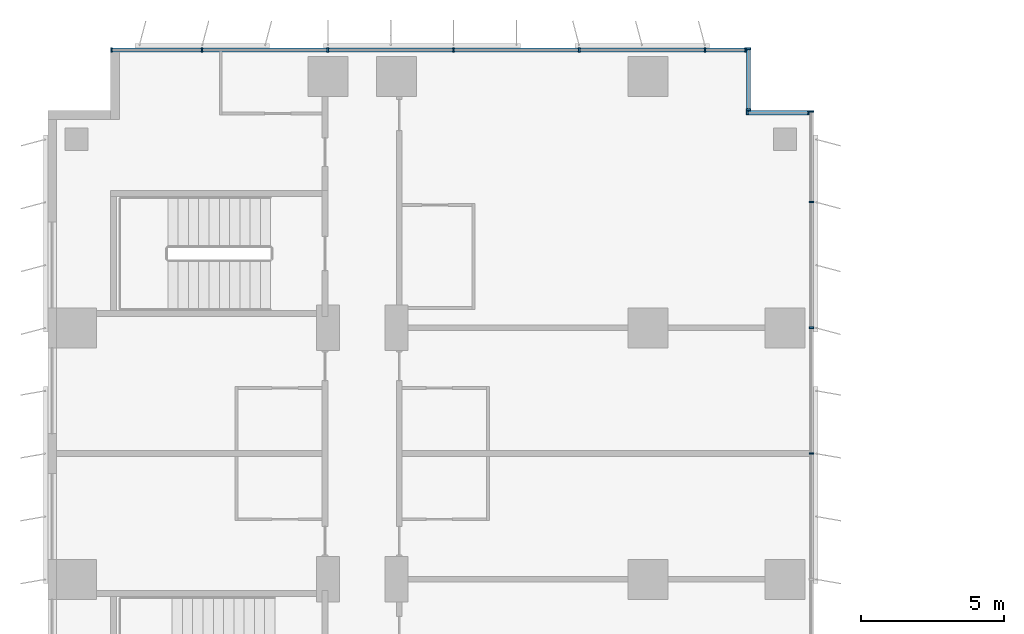
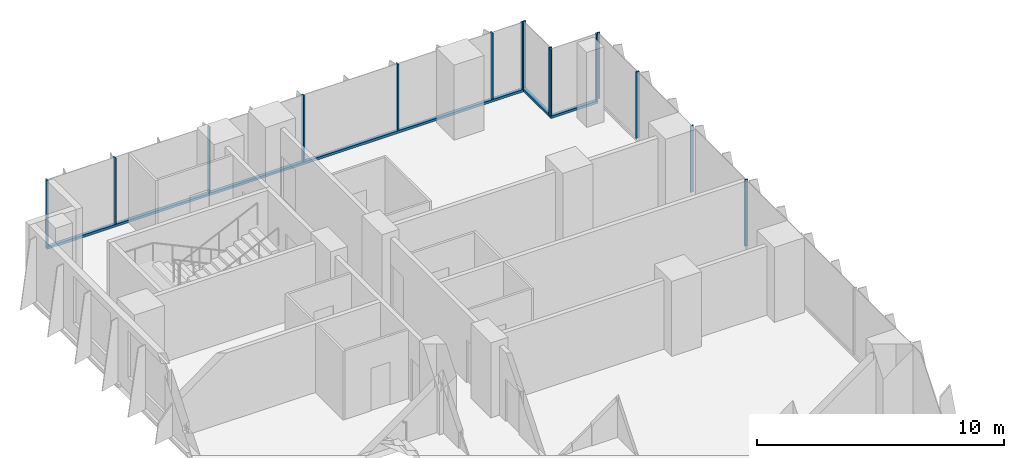
# One storey, part 9 of 24: 18 members, 4 elements without a shape of their own.
"""IFC4 building model written with IfcOpenShell, lengths in metres."""

from ifc_helpers import new_model, si_unit, direction, frame, origin, origin_2d, place, context, subcontext, project, spatial, rectangle, extrude, source, transform, mapped, material, material_profile, profile_set, type_object, element, aggregate, save


model = new_model("IFC4")

# Units and contexts
model_context = context("Model", 3, precision=1e-05, world=origin(), true_north=direction((0.0, 1.0)))
body_context = subcontext(model_context, "Body", "Model", "MODEL_VIEW")
ifc_project = project(units=[si_unit("LENGTHUNIT", "METRE"), si_unit("AREAUNIT", "SQUARE_METRE"), si_unit("VOLUMEUNIT", "CUBIC_METRE"), si_unit("PLANEANGLEUNIT", "RADIAN"), si_unit("MASSUNIT", "GRAM", prefix="KILO")], contexts=[model_context])

# Site, building, storey
site_placement = place(None, origin())
site = spatial("IfcSite", under=ifc_project, at=site_placement, CompositionType="ELEMENT")
building_placement = place(site_placement, origin())
building = spatial("IfcBuilding", under=site, at=building_placement, Name="Kemantara Hotel Tower", CompositionType="ELEMENT")
storey_placement = place(building_placement, frame((0.0, 0.0, 37.699951171875)))
storey = spatial("IfcBuildingStorey", under=building, at=storey_placement, Name="L07", CompositionType="ELEMENT", Elevation=37.699951171875)

# Curtain wall, member
ifc_material_1 = material(Name="Low-E tinted double insulated glass 36 mm", Category="glass")
curtain_wall_type = type_object("IfcCurtainWallType", Name="TOWER CURTAIN WALL, FRONT FACES", PredefinedType="USERDEFINED", material=ifc_material_1)
curtain_wall_1_placement = place(storey_placement, origin())
curtain_wall_1 = element("IfcCurtainWall", 1, at=curtain_wall_1_placement, inside=storey, type_object=curtain_wall_type, Name="CW4 L07 T1-R11-1", ObjectType="TOWER CURTAIN WALL, FRONT FACES", PredefinedType="USERDEFINED")
ifc_material_2 = material(Name="Aluminium 6063-T6 bronze anodised", Category="aluminium")
ifc_material_profile_1 = material_profile(ifc_material_2, rectangle(XDim=0.14990234375, YDim=0.1201171875, at=origin_2d()), Name="TOWER CURTAIN WALL, FRONT FACES TRANSOM")
ifc_profile_set_1 = profile_set([ifc_material_profile_1], Name="Aluminium 6063-T6 bronze anodised")
member_type_1 = type_object("IfcMemberType", Name="TOWER CURTAIN WALL, FRONT FACES TRANSOM", PredefinedType="USERDEFINED", material=ifc_profile_set_1)
member_1_placement = place(storey_placement, frame((24.449951171875, 81.125, 0.06005859375), z_axis=(-1.0, 0.0, 0.0), x_axis=(0.0, -1.0, 0.0)))
member_1 = element("IfcMember", 2, at=member_1_placement, type_object=member_type_1, Name="CW4 sill transom T1-R11-1", ObjectType="TRANSOM", PredefinedType="USERDEFINED", context=body_context, shape_type="SweptSolid", body=[
    extrude(rectangle(XDim=0.14990234375, YDim=0.1201171875, at=origin_2d()), origin(), (0.0, 0.0, 1.0), 22.25),
])

curtain_wall_2_placement = place(storey_placement, origin())
curtain_wall_2 = element("IfcCurtainWall", 3, at=curtain_wall_2_placement, inside=storey, type_object=curtain_wall_type, Name="CW4 L07 T1-R09-1", ObjectType="TOWER CURTAIN WALL, FRONT FACES", PredefinedType="USERDEFINED")
member_2_placement = place(storey_placement, frame((26.64990234375, 78.925048828125, 0.06005859375), z_axis=(-1.0, 0.0, 0.0), x_axis=(0.0, -1.0, 0.0)))
member_2 = element("IfcMember", 4, at=member_2_placement, type_object=member_type_1, Name="CW4 sill transom T1-R09-1", ObjectType="TRANSOM", PredefinedType="USERDEFINED", context=body_context, shape_type="SweptSolid", body=[
    extrude(rectangle(XDim=0.14990234375, YDim=0.1201171875, at=origin_2d()), origin(), (0.0, 0.0, 1.0), 2.199951171875),
])

curtain_wall_3_placement = place(storey_placement, origin())
curtain_wall_3 = element("IfcCurtainWall", 5, at=curtain_wall_3_placement, inside=storey, type_object=curtain_wall_type, Name="CW4 L07 T1-R10-1", ObjectType="TOWER CURTAIN WALL, FRONT FACES", PredefinedType="USERDEFINED")
member_3_placement = place(storey_placement, frame((24.52490234375, 79.0, 0.06005859375), z_axis=(0.0, 1.0, 0.0), x_axis=(-1.0, 0.0, 0.0)))
member_3 = element("IfcMember", 6, at=member_3_placement, type_object=member_type_1, Name="CW4 sill transom T1-R10-1", ObjectType="TRANSOM", PredefinedType="USERDEFINED", context=body_context, shape_type="SweptSolid", body=[
    extrude(rectangle(XDim=0.14990234375, YDim=0.1201171875, at=origin_2d()), origin(), (0.0, 0.0, 1.0), 2.199951171875),
])

# Curtain wall, members
curtain_wall_4_placement = place(storey_placement, origin())
curtain_wall_4 = element("IfcCurtainWall", 7, at=curtain_wall_4_placement, inside=storey, type_object=curtain_wall_type, Name="CW4 L07 T1-R08-1", ObjectType="TOWER CURTAIN WALL, FRONT FACES", PredefinedType="USERDEFINED")
ifc_material_profile_2 = material_profile(ifc_material_2, rectangle(XDim=0.14990234375, YDim=0.06005859375, at=origin_2d()), Name="TOWER CURTAIN WALL, FRONT FACES MULLION")
ifc_profile_set_2 = profile_set([ifc_material_profile_2], Name="Aluminium 6063-T6 bronze anodised")
member_type_2 = type_object("IfcMemberType", Name="TOWER CURTAIN WALL, FRONT FACES MULLION", PredefinedType="MULLION", material=ifc_profile_set_2)
shared_shape = source(origin(), body_context, "Body", "SweptSolid", [
    extrude(rectangle(XDim=0.14990234375, YDim=0.06005859375, at=origin_2d()), origin(), (0.0, 0.0, 1.0), 3.280029296875),
])
member_4_placement = place(storey_placement, frame((26.72509765625, 67.0, 0.1201171875), z_axis=(0.0, 0.0, 1.0), x_axis=(-1.0, 0.0, 0.0)))
member_4 = element("IfcMember", 8, at=member_4_placement, type_object=member_type_2, Name="CW4 mullion T1-R08-1.11", PredefinedType="MULLION", context=body_context, shape_type="MappedRepresentation", body=[
    mapped(shared_shape, transform((0.0, 0.0, 0.0))),
])
member_5_placement = place(storey_placement, frame((26.72509765625, 71.39990234375, 0.1201171875), z_axis=(0.0, 0.0, 1.0), x_axis=(-1.0, 0.0, 0.0)))
member_5 = element("IfcMember", 9, at=member_5_placement, type_object=member_type_2, Name="CW4 mullion T1-R08-1.12", PredefinedType="MULLION", context=body_context, shape_type="MappedRepresentation", body=[
    mapped(shared_shape, transform((0.0, 0.0, 0.0))),
])
member_6_placement = place(storey_placement, frame((26.72509765625, 75.800048828125, 0.1201171875), z_axis=(0.0, 0.0, 1.0), x_axis=(-1.0, 0.0, 0.0)))
member_6 = element("IfcMember", 10, at=member_6_placement, type_object=member_type_2, Name="CW4 mullion T1-R08-1.13", PredefinedType="MULLION", context=body_context, shape_type="MappedRepresentation", body=[
    mapped(shared_shape, transform((0.0, 0.0, 0.0))),
])
member_7_placement = place(storey_placement, frame((26.72509765625, 78.969970703125, 0.1201171875), z_axis=(0.0, 0.0, 1.0), x_axis=(-1.0, 0.0, 0.0)))
member_7 = element("IfcMember", 11, at=member_7_placement, type_object=member_type_2, Name="CW4 mullion T1-R08-1.14", PredefinedType="MULLION", context=body_context, shape_type="MappedRepresentation", body=[
    mapped(shared_shape, transform((0.0, 0.0, 0.0))),
])
aggregate(curtain_wall_4, [member_4, member_5, member_6, member_7])

# Member
member_8_placement = place(storey_placement, frame((24.419921875, 81.125, 0.1201171875), z_axis=(0.0, 0.0, 1.0), x_axis=(0.0, -1.0, 0.0)))
member_8 = element("IfcMember", 12, at=member_8_placement, type_object=member_type_2, Name="CW4 mullion T1-R11-1.1", PredefinedType="MULLION", context=body_context, shape_type="MappedRepresentation", body=[
    mapped(shared_shape, transform((0.0, 0.0, 0.0))),
])

member_9_placement = place(storey_placement, frame((23.0, 81.125, 0.1201171875), z_axis=(0.0, 0.0, 1.0), x_axis=(0.0, -1.0, 0.0)))
member_9 = element("IfcMember", 13, at=member_9_placement, type_object=member_type_2, Name="CW4 mullion T1-R11-1.2", PredefinedType="MULLION", context=body_context, shape_type="MappedRepresentation", body=[
    mapped(shared_shape, transform((0.0, 0.0, 0.0))),
])

member_10_placement = place(storey_placement, frame((18.60009765625, 81.125, 0.1201171875), z_axis=(0.0, 0.0, 1.0), x_axis=(0.0, -1.0, 0.0)))
member_10 = element("IfcMember", 14, at=member_10_placement, type_object=member_type_2, Name="CW4 mullion T1-R11-1.3", PredefinedType="MULLION", context=body_context, shape_type="MappedRepresentation", body=[
    mapped(shared_shape, transform((0.0, 0.0, 0.0))),
])

member_11_placement = place(storey_placement, frame((14.199951171875, 81.125, 0.1201171875), z_axis=(0.0, 0.0, 1.0), x_axis=(0.0, -1.0, 0.0)))
member_11 = element("IfcMember", 15, at=member_11_placement, type_object=member_type_2, Name="CW4 mullion T1-R11-1.4", PredefinedType="MULLION", context=body_context, shape_type="MappedRepresentation", body=[
    mapped(shared_shape, transform((0.0, 0.0, 0.0))),
])

member_12_placement = place(storey_placement, frame((9.800048828125, 81.125, 0.1201171875), z_axis=(0.0, 0.0, 1.0), x_axis=(0.0, -1.0, 0.0)))
member_12 = element("IfcMember", 16, at=member_12_placement, type_object=member_type_2, Name="CW4 mullion T1-R11-1.5", PredefinedType="MULLION", context=body_context, shape_type="MappedRepresentation", body=[
    mapped(shared_shape, transform((0.0, 0.0, 0.0))),
])

member_13_placement = place(storey_placement, frame((5.39990234375, 81.125, 0.1201171875), z_axis=(0.0, 0.0, 1.0), x_axis=(0.0, -1.0, 0.0)))
member_13 = element("IfcMember", 17, at=member_13_placement, type_object=member_type_2, Name="CW4 mullion T1-R11-1.6", PredefinedType="MULLION", context=body_context, shape_type="MappedRepresentation", body=[
    mapped(shared_shape, transform((0.0, 0.0, 0.0))),
])

member_14_placement = place(storey_placement, frame((2.22998046875, 81.125, 0.1201171875), z_axis=(0.0, 0.0, 1.0), x_axis=(0.0, -1.0, 0.0)))
member_14 = element("IfcMember", 18, at=member_14_placement, type_object=member_type_2, Name="CW4 mullion T1-R11-1.7", PredefinedType="MULLION", context=body_context, shape_type="MappedRepresentation", body=[
    mapped(shared_shape, transform((0.0, 0.0, 0.0))),
])

aggregate(curtain_wall_1, [member_1, member_8, member_9, member_10, member_11, member_12, member_13, member_14])

member_15_placement = place(storey_placement, frame((26.6201171875, 78.925048828125, 0.1201171875), z_axis=(0.0, 0.0, 1.0), x_axis=(0.0, -1.0, 0.0)))
member_15 = element("IfcMember", 19, at=member_15_placement, type_object=member_type_2, Name="CW4 mullion T1-R09-1.1", PredefinedType="MULLION", context=body_context, shape_type="MappedRepresentation", body=[
    mapped(shared_shape, transform((0.0, 0.0, 0.0))),
])

member_16_placement = place(storey_placement, frame((24.47998046875, 78.925048828125, 0.1201171875), z_axis=(0.0, 0.0, 1.0), x_axis=(0.0, -1.0, 0.0)))
member_16 = element("IfcMember", 20, at=member_16_placement, type_object=member_type_2, Name="CW4 mullion T1-R09-1.2", PredefinedType="MULLION", context=body_context, shape_type="MappedRepresentation", body=[
    mapped(shared_shape, transform((0.0, 0.0, 0.0))),
])

aggregate(curtain_wall_2, [member_2, member_15, member_16])

member_17_placement = place(storey_placement, frame((24.52490234375, 79.030029296875, 0.1201171875), z_axis=(0.0, 0.0, 1.0), x_axis=(-1.0, 0.0, 0.0)))
member_17 = element("IfcMember", 21, at=member_17_placement, type_object=member_type_2, Name="CW4 mullion T1-R10-1.1", PredefinedType="MULLION", context=body_context, shape_type="MappedRepresentation", body=[
    mapped(shared_shape, transform((0.0, 0.0, 0.0))),
])

member_18_placement = place(storey_placement, frame((24.52490234375, 81.169921875, 0.1201171875), z_axis=(0.0, 0.0, 1.0), x_axis=(-1.0, 0.0, 0.0)))
member_18 = element("IfcMember", 22, at=member_18_placement, type_object=member_type_2, Name="CW4 mullion T1-R10-1.2", PredefinedType="MULLION", context=body_context, shape_type="MappedRepresentation", body=[
    mapped(shared_shape, transform((0.0, 0.0, 0.0))),
])

aggregate(curtain_wall_3, [member_3, member_17, member_18])

save(model, "model.ifc")
